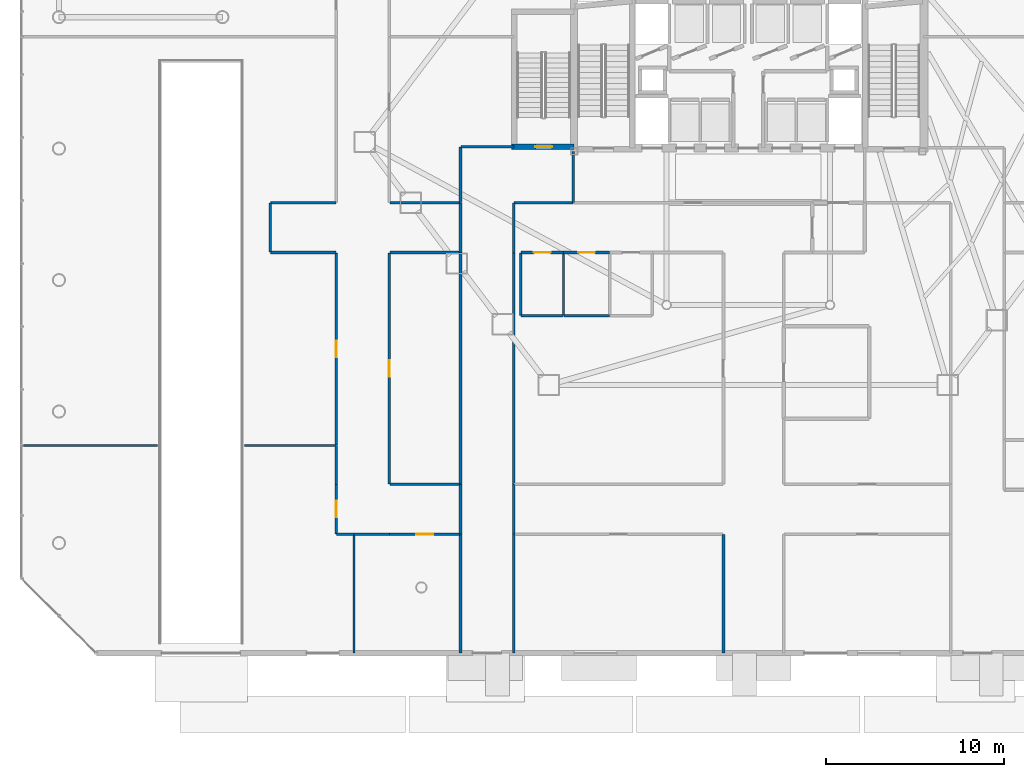
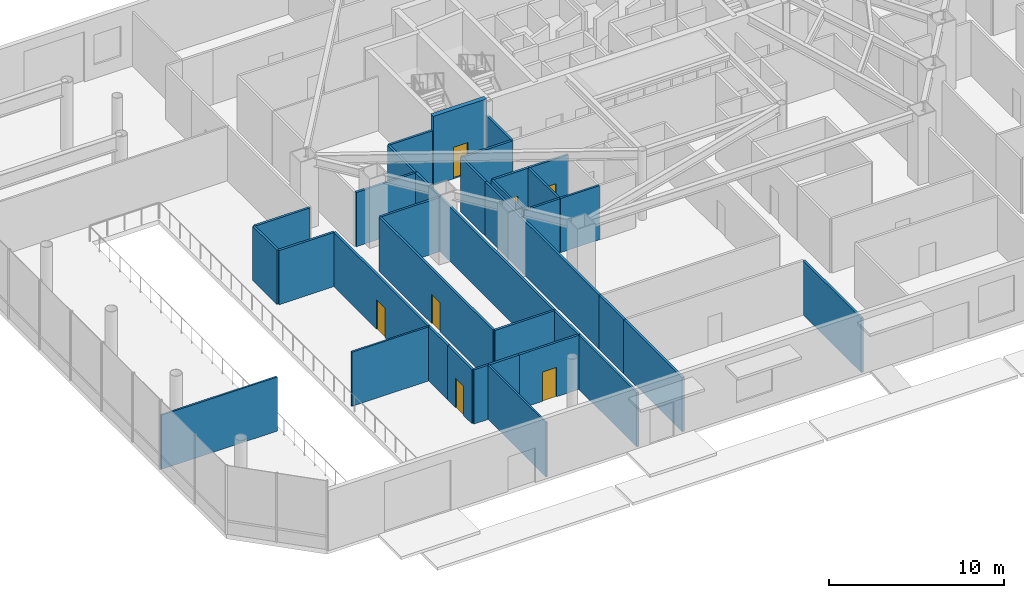
# One storey, part 22 of 31: 36 walls, 7 doors, 7 openings.
"""IFC4 building model written with IfcOpenShell, lengths in metres."""

from ifc_helpers import new_model, si_unit, direction, frame, frame_2d, origin, place, context, subcontext, project, spatial, rectangle, extrude, material, layer, layer_set, type_object, element, fill, save


model = new_model("IFC4")

# Units and contexts
model_context = context("Model", 3, precision=1e-05, world=origin(), true_north=direction((0.0, 1.0)))
body_context = subcontext(model_context, "Body", "Model", "MODEL_VIEW")
ifc_project = project(units=[si_unit("LENGTHUNIT", "METRE"), si_unit("AREAUNIT", "SQUARE_METRE"), si_unit("VOLUMEUNIT", "CUBIC_METRE"), si_unit("PLANEANGLEUNIT", "RADIAN"), si_unit("MASSUNIT", "GRAM", prefix="KILO")], contexts=[model_context])

# Site, building, storey
site_placement = place(None, origin())
site = spatial("IfcSite", under=ifc_project, at=site_placement, CompositionType="ELEMENT")
building_placement = place(site_placement, origin())
building = spatial("IfcBuilding", under=site, at=building_placement, Name="Zarrinselat Tower", CompositionType="ELEMENT")
storey_placement = place(building_placement, origin())
storey = spatial("IfcBuildingStorey", under=building, at=storey_placement, Name="L00", CompositionType="ELEMENT", Elevation=0.0)

# Walls
ifc_material_1 = material(Name="Fire-Rated Gypsum Board Partition", Category="gypsum")
ifc_layer_1 = layer(ifc_material_1, 0.14990234375)
ifc_layer_set_1 = layer_set([ifc_layer_1], Name="Fire-Rated Gypsum Board Partition")
wall_type_1 = type_object("IfcWallType", Name="WAL-PART-EI60", PredefinedType="PARTITIONING", material=ifc_layer_set_1)
wall_1_placement = place(storey_placement, frame((28.550048828125, 30.169921875, 0.0), z_axis=(0.0, 0.0, 1.0), x_axis=(0.0, 1.0, 0.0)))
element("IfcWall", 1, at=wall_1_placement, inside=storey, type_object=wall_type_1, Name="L00 Partition Wall 7", PredefinedType="PARTITIONING", context=body_context, shape_type="SweptSolid", body=[
    extrude(rectangle(XDim=2.86181640625, YDim=0.14990234375, at=frame_2d((1.430908203125, 0.0))), origin(), (0.0, 0.0, 1.0), 3.777099609375),
])
wall_2_placement = place(storey_placement, frame((22.199951171875, 11.5048828125, 0.0), z_axis=(0.0, 0.0, 1.0), x_axis=(0.0, 1.0, 0.0)))
element("IfcWall", 2, at=wall_2_placement, inside=storey, type_object=wall_type_1, Name="L00 Partition Wall 11", PredefinedType="PARTITIONING", context=body_context, shape_type="SweptSolid", body=[
    extrude(rectangle(XDim=2.7900390625, YDim=0.14990234375, at=frame_2d((1.39501953125, 0.0))), origin(), (0.0, 0.0, 1.0), 3.777099609375),
])
wall_3_placement = place(storey_placement, frame((22.199951171875, 27.35498046875, 0.0), z_axis=(0.0, 0.0, 1.0), x_axis=(0.0, 1.0, 0.0)))
element("IfcWall", 3, at=wall_3_placement, inside=storey, type_object=wall_type_1, Name="L00 Partition Wall 12", PredefinedType="PARTITIONING", context=body_context, shape_type="SweptSolid", body=[
    extrude(rectangle(XDim=2.77490234375, YDim=0.14990234375, at=frame_2d((1.387451171875, 0.0))), origin(), (0.0, 0.0, 1.0), 3.777099609375),
])
wall_4_placement = place(storey_placement, frame((25.219970703125, 30.14990234375, 0.0), z_axis=(0.0, 0.0, 1.0), x_axis=(1.0, 0.0, 0.0)))
element("IfcWall", 4, at=wall_4_placement, inside=storey, type_object=wall_type_1, Name="L00 Partition Wall 13", PredefinedType="PARTITIONING", context=body_context, shape_type="SweptSolid", body=[
    extrude(rectangle(XDim=3.31005859375, YDim=0.14990234375, at=frame_2d((1.655029296875, 0.0))), origin(), (0.0, 0.0, 1.0), 3.777099609375),
])
wall_5_placement = place(storey_placement, frame((25.199951171875, 27.3349609375, 0.0), z_axis=(0.0, 0.0, 1.0), x_axis=(0.0, 1.0, 0.0)))
element("IfcWall", 5, at=wall_5_placement, inside=storey, type_object=wall_type_1, Name="L00 Partition Wall 14", PredefinedType="PARTITIONING", context=body_context, shape_type="SweptSolid", body=[
    extrude(rectangle(XDim=2.794921875, YDim=0.14990234375, at=frame_2d((1.3974609375, 0.0))), origin(), (0.0, 0.0, 1.0), 3.777099609375),
])
wall_6_placement = place(storey_placement, frame((25.199951171875, 11.5048828125, 0.0), z_axis=(0.0, 0.0, 1.0), x_axis=(0.0, 1.0, 0.0)))
element("IfcWall", 6, at=wall_6_placement, inside=storey, type_object=wall_type_1, Name="L00 Partition Wall 15", PredefinedType="PARTITIONING", context=body_context, shape_type="SweptSolid", body=[
    extrude(rectangle(XDim=2.7900390625, YDim=0.14990234375, at=frame_2d((1.39501953125, 0.0))), origin(), (0.0, 0.0, 1.0), 3.777099609375),
])
wall_7_placement = place(storey_placement, frame((22.199951171875, 30.169921875, 0.0), z_axis=(0.0, 0.0, 1.0), x_axis=(0.0, 1.0, 0.0)))
element("IfcWall", 7, at=wall_7_placement, inside=storey, type_object=wall_type_1, Name="L00 Partition Wall 16", PredefinedType="PARTITIONING", context=body_context, shape_type="SweptSolid", body=[
    extrude(rectangle(XDim=3.110107421875, YDim=0.14990234375, at=frame_2d((1.55517578125, 0.0))), origin(), (0.0, 0.0, 1.0), 3.777099609375),
])
wall_8_placement = place(storey_placement, frame((22.219970703125, 33.300048828125, 0.0), z_axis=(0.0, 0.0, 1.0), x_axis=(1.0, 0.0, 0.0)))
element("IfcWall", 8, at=wall_8_placement, inside=storey, type_object=wall_type_1, Name="L00 Partition Wall 17", PredefinedType="PARTITIONING", context=body_context, shape_type="SweptSolid", body=[
    extrude(rectangle(XDim=2.9951171875, YDim=0.14990234375, at=frame_2d((1.49755859375, 0.0))), origin(), (0.0, 0.0, 1.0), 3.777099609375),
])
wall_9_placement = place(storey_placement, frame((22.199951171875, 14.304931640625, 0.0), z_axis=(0.0, 0.0, 1.0), x_axis=(0.0, 1.0, 0.0)))
element("IfcWall", 9, at=wall_9_placement, inside=storey, type_object=wall_type_1, Name="L00 Partition Wall 18", PredefinedType="PARTITIONING", context=body_context, shape_type="SweptSolid", body=[
    extrude(rectangle(XDim=13.0400390625, YDim=0.14990234375, at=frame_2d((6.52001953125, 0.0))), origin(), (0.0, 0.0, 1.0), 3.777099609375),
])
for number, where, z_axis, x_axis, name in (
    (10, (22.199951171875, 4.81494140625, 0.0), (0.0, 0.0, 1.0), (0.0, 1.0, 0.0), "L00 Partition Wall 19"),
    (11, (25.199951171875, 4.81494140625, 0.0), (0.0, 0.0, 1.0), (0.0, 1.0, 0.0), "L00 Partition Wall 20"),
):
    element("IfcWall", number, at=place(storey_placement, frame(where, z_axis=z_axis, x_axis=x_axis)), inside=storey, type_object=wall_type_1, Name=name, PredefinedType="PARTITIONING", context=body_context, shape_type="SweptSolid", body=[
        extrude(rectangle(XDim=6.68017578125, YDim=0.14990234375, at=frame_2d((3.340087890625, 0.0))), origin(), (0.0, 0.0, 1.0), 3.777099609375),
    ])
wall_10_placement = place(storey_placement, frame((25.199951171875, 14.304931640625, 0.0), z_axis=(0.0, 0.0, 1.0), x_axis=(0.0, 1.0, 0.0)))
element("IfcWall", 12, at=wall_10_placement, inside=storey, type_object=wall_type_1, Name="L00 Partition Wall 21", PredefinedType="PARTITIONING", context=body_context, shape_type="SweptSolid", body=[
    extrude(rectangle(XDim=13.06005859375, YDim=0.14990234375, at=frame_2d((6.530029296875, 0.0))), origin(), (0.0, 0.0, 1.0), 3.777099609375),
])
for number, where, z_axis, x_axis, name in (
    (13, (18.219970703125, 30.14990234375, 0.0), (0.0, 0.0, 1.0), (1.0, 0.0, 0.0), "L00 Partition Wall 61"),
    (14, (18.219970703125, 27.35009765625, 0.0), (0.0, 0.0, 1.0), (1.0, 0.0, 0.0), "L00 Partition Wall 64"),
):
    element("IfcWall", number, at=place(storey_placement, frame(where, z_axis=z_axis, x_axis=x_axis)), inside=storey, type_object=wall_type_1, Name=name, PredefinedType="PARTITIONING", context=body_context, shape_type="SweptSolid", body=[
        extrude(rectangle(XDim=3.9599609375, YDim=0.14990234375, at=frame_2d((1.97998046875, 0.0))), origin(), (0.0, 0.0, 1.0), 3.777099609375),
    ])

# Wall, opening, door
wall_11_placement = place(storey_placement, frame((18.199951171875, 14.320068359375, 0.0), z_axis=(0.0, 0.0, 1.0), x_axis=(0.0, 1.0, 0.0)))
wall_11 = element("IfcWall", 15, at=wall_11_placement, inside=storey, type_object=wall_type_1, Name="L00 Partition Wall 65", PredefinedType="PARTITIONING", context=body_context, shape_type="SweptSolid", body=[
    extrude(rectangle(XDim=13.010009765625, YDim=0.14990234375, at=frame_2d((6.5048828125, 0.0))), origin(), (0.0, 0.0, 1.0), 3.777099609375),
])
opening_1_placement = place(wall_11_placement, frame((6.034912109375, 0.0, 0.0)))
opening_1 = element("IfcOpeningElement", 16, at=opening_1_placement, cuts=wall_11, Name="Opening ID-04", PredefinedType="OPENING", context=body_context, shape_type="SweptSolid", body=[
    extrude(rectangle(XDim=0.93994140625, YDim=2.050048828125, at=frame_2d((0.469970703125, 1.02490234375))), frame((0.0, 0.0849609375, 0.0), z_axis=(0.0, -1.0, 0.0), x_axis=(1.0, 0.0, 0.0)), (0.0, 0.0, 1.0), 0.169921875),
])
ifc_material_2 = material(Name="Fire-Rated Gypsum Board Partition")
door_type_1 = type_object("IfcDoorType", Name="DR-INT-FD30-ENT", OperationType="NOTDEFINED", PredefinedType="DOOR", material=ifc_material_2)
door_1_placement = place(opening_1_placement, origin())
door_1 = element("IfcDoor", 17, at=door_1_placement, inside=storey, type_object=door_type_1, Name="L00 Interior Door P65", OperationType="SINGLE_SWING_LEFT", OverallHeight=2.050048828125, OverallWidth=0.93994140625, PredefinedType="DOOR", context=body_context, shape_type="SweptSolid", body=[
    extrude(rectangle(XDim=0.93994140625, YDim=2.050048828125, at=frame_2d((0.469970703125, 1.02490234375))), frame((0.0, 0.02490234375, 0.0), z_axis=(0.0, -1.0, 0.0), x_axis=(1.0, 0.0, 0.0)), (0.0, 0.0, 1.0), 0.050048828125),
])
fill(opening_1, door_1)

# Wall
wall_12_placement = place(storey_placement, frame((18.219970703125, 14.300048828125, 0.0), z_axis=(0.0, 0.0, 1.0), x_axis=(1.0, 0.0, 0.0)))
element("IfcWall", 18, at=wall_12_placement, inside=storey, type_object=wall_type_1, Name="L00 Partition Wall 66", PredefinedType="PARTITIONING", context=body_context, shape_type="SweptSolid", body=[
    extrude(rectangle(XDim=3.9599609375, YDim=0.14990234375, at=frame_2d((1.97998046875, 0.0))), origin(), (0.0, 0.0, 1.0), 3.777099609375),
])

# Wall, opening, door
wall_13_placement = place(storey_placement, frame((18.199951171875, 11.5, 0.0), z_axis=(0.0, 0.0, 1.0), x_axis=(1.0, 0.0, 0.0)))
wall_13 = element("IfcWall", 19, at=wall_13_placement, inside=storey, type_object=wall_type_1, Name="L00 Partition Wall 67", PredefinedType="PARTITIONING", context=body_context, shape_type="SweptSolid", body=[
    extrude(rectangle(XDim=3.97998046875, YDim=0.14990234375, at=frame_2d((1.989990234375, 0.0))), origin(), (0.0, 0.0, 1.0), 3.777099609375),
])
opening_2_placement = place(wall_13_placement, frame((1.52001953125, 0.0, 0.0)))
opening_2 = element("IfcOpeningElement", 20, at=opening_2_placement, cuts=wall_13, Name="Opening ID-04", PredefinedType="OPENING", context=body_context, shape_type="SweptSolid", body=[
    extrude(rectangle(XDim=0.93994140625, YDim=2.050048828125, at=frame_2d((0.469970703125, 1.02490234375))), frame((0.0, 0.0849609375, 0.0), z_axis=(0.0, -1.0, 0.0), x_axis=(1.0, 0.0, 0.0)), (0.0, 0.0, 1.0), 0.169921875),
])
door_2_placement = place(opening_2_placement, origin())
door_2 = element("IfcDoor", 21, at=door_2_placement, inside=storey, type_object=door_type_1, Name="L00 Interior Door P67", OperationType="SINGLE_SWING_RIGHT", OverallHeight=2.050048828125, OverallWidth=0.93994140625, PredefinedType="DOOR", context=body_context, shape_type="SweptSolid", body=[
    extrude(rectangle(XDim=0.93994140625, YDim=2.050048828125, at=frame_2d((0.469970703125, 1.02490234375))), frame((0.0, 0.02490234375, 0.0), z_axis=(0.0, -1.0, 0.0), x_axis=(1.0, 0.0, 0.0)), (0.0, 0.0, 1.0), 0.050048828125),
])
fill(opening_2, door_2)

# Walls
wall_14_placement = place(storey_placement, frame((16.205078125, 11.5, 0.0), z_axis=(0.0, 0.0, 1.0), x_axis=(1.0, 0.0, 0.0)))
element("IfcWall", 22, at=wall_14_placement, inside=storey, type_object=wall_type_1, Name="L00 Partition Wall 68", PredefinedType="PARTITIONING", context=body_context, shape_type="SweptSolid", body=[
    extrude(rectangle(XDim=1.994873046875, YDim=0.14990234375, at=frame_2d((0.99755859375, 0.0))), origin(), (0.0, 0.0, 1.0), 3.777099609375),
])
wall_15_placement = place(storey_placement, frame((15.219970703125, 11.5, 0.0), z_axis=(0.0, 0.0, 1.0), x_axis=(1.0, 0.0, 0.0)))
element("IfcWall", 23, at=wall_15_placement, inside=storey, type_object=wall_type_1, Name="L00 Partition Wall 69", PredefinedType="PARTITIONING", context=body_context, shape_type="SweptSolid", body=[
    extrude(rectangle(XDim=0.97509765625, YDim=0.14990234375, at=frame_2d((0.487548828125, 0.0))), origin(), (0.0, 0.0, 1.0), 3.777099609375),
])

# Wall, opening, door
wall_16_placement = place(storey_placement, frame((15.199951171875, 11.52001953125, 0.0), z_axis=(0.0, 0.0, 1.0), x_axis=(0.0, 1.0, 0.0)))
wall_16 = element("IfcWall", 24, at=wall_16_placement, inside=storey, type_object=wall_type_1, Name="L00 Partition Wall 70", PredefinedType="PARTITIONING", context=body_context, shape_type="SweptSolid", body=[
    extrude(rectangle(XDim=2.780029296875, YDim=0.14990234375, at=frame_2d((1.39013671875, 0.0))), origin(), (0.0, 0.0, 1.0), 3.777099609375),
])
opening_3_placement = place(wall_16_placement, frame((0.919921875, 0.0, 0.0)))
opening_3 = element("IfcOpeningElement", 25, at=opening_3_placement, cuts=wall_16, Name="Opening ID-04", PredefinedType="OPENING", context=body_context, shape_type="SweptSolid", body=[
    extrude(rectangle(XDim=0.93994140625, YDim=2.050048828125, at=frame_2d((0.469970703125, 1.02490234375))), frame((0.0, 0.0849609375, 0.0), z_axis=(0.0, -1.0, 0.0), x_axis=(1.0, 0.0, 0.0)), (0.0, 0.0, 1.0), 0.169921875),
])
door_3_placement = place(opening_3_placement, origin())
door_3 = element("IfcDoor", 26, at=door_3_placement, inside=storey, type_object=door_type_1, Name="L00 Interior Door P70", OperationType="SINGLE_SWING_LEFT", OverallHeight=2.050048828125, OverallWidth=0.93994140625, PredefinedType="DOOR", context=body_context, shape_type="SweptSolid", body=[
    extrude(rectangle(XDim=0.93994140625, YDim=2.050048828125, at=frame_2d((0.469970703125, 1.02490234375))), frame((0.0, 0.02490234375, 0.0), z_axis=(0.0, -1.0, 0.0), x_axis=(1.0, 0.0, 0.0)), (0.0, 0.0, 1.0), 0.050048828125),
])
fill(opening_3, door_3)

# Wall
wall_17_placement = place(storey_placement, frame((15.199951171875, 14.300048828125, 0.0), z_axis=(0.0, 0.0, 1.0), x_axis=(0.0, 1.0, 0.0)))
element("IfcWall", 27, at=wall_17_placement, inside=storey, type_object=wall_type_1, Name="L00 Partition Wall 71", PredefinedType="PARTITIONING", context=body_context, shape_type="SweptSolid", body=[
    extrude(rectangle(XDim=2.195068359375, YDim=0.14990234375, at=frame_2d((1.09765625, 0.0))), origin(), (0.0, 0.0, 1.0), 3.777099609375),
])

# Wall, opening, door
wall_18_placement = place(storey_placement, frame((15.199951171875, 16.5048828125, 0.0), z_axis=(0.0, 0.0, 1.0), x_axis=(0.0, 1.0, 0.0)))
wall_18 = element("IfcWall", 28, at=wall_18_placement, inside=storey, type_object=wall_type_1, Name="L00 Partition Wall 72", PredefinedType="PARTITIONING", context=body_context, shape_type="SweptSolid", body=[
    extrude(rectangle(XDim=10.8251953125, YDim=0.14990234375, at=frame_2d((5.41259765625, 0.0))), origin(), (0.0, 0.0, 1.0), 3.777099609375),
])
opening_4_placement = place(wall_18_placement, frame((4.9423828125, 0.0, 0.0)))
opening_4 = element("IfcOpeningElement", 29, at=opening_4_placement, cuts=wall_18, Name="Opening ID-04", PredefinedType="OPENING", context=body_context, shape_type="SweptSolid", body=[
    extrude(rectangle(XDim=0.93994140625, YDim=2.050048828125, at=frame_2d((0.469970703125, 1.02490234375))), frame((0.0, 0.0849609375, 0.0), z_axis=(0.0, -1.0, 0.0), x_axis=(1.0, 0.0, 0.0)), (0.0, 0.0, 1.0), 0.169921875),
])
door_4_placement = place(opening_4_placement, origin())
door_4 = element("IfcDoor", 30, at=door_4_placement, inside=storey, type_object=door_type_1, Name="L00 Interior Door P72", OperationType="SINGLE_SWING_RIGHT", OverallHeight=2.050048828125, OverallWidth=0.93994140625, PredefinedType="DOOR", context=body_context, shape_type="SweptSolid", body=[
    extrude(rectangle(XDim=0.93994140625, YDim=2.050048828125, at=frame_2d((0.469970703125, 1.02490234375))), frame((0.0, 0.02490234375, 0.0), z_axis=(0.0, -1.0, 0.0), x_axis=(1.0, 0.0, 0.0)), (0.0, 0.0, 1.0), 0.050048828125),
])
fill(opening_4, door_4)

# Walls
wall_19_placement = place(storey_placement, frame((11.52001953125, 27.35009765625, 0.0), z_axis=(0.0, 0.0, 1.0), x_axis=(1.0, 0.0, 0.0)))
element("IfcWall", 31, at=wall_19_placement, inside=storey, type_object=wall_type_1, Name="L00 Partition Wall 73", PredefinedType="PARTITIONING", context=body_context, shape_type="SweptSolid", body=[
    extrude(rectangle(XDim=3.659912109375, YDim=0.14990234375, at=frame_2d((1.830078125, 0.0))), origin(), (0.0, 0.0, 1.0), 3.777099609375),
])
wall_20_placement = place(storey_placement, frame((11.5, 27.3701171875, 0.0), z_axis=(0.0, 0.0, 1.0), x_axis=(0.0, 1.0, 0.0)))
element("IfcWall", 32, at=wall_20_placement, inside=storey, type_object=wall_type_1, Name="L00 Partition Wall 74", PredefinedType="PARTITIONING", context=body_context, shape_type="SweptSolid", body=[
    extrude(rectangle(XDim=2.759765625, YDim=0.14990234375, at=frame_2d((1.3798828125, 0.0))), origin(), (0.0, 0.0, 1.0), 3.777099609375),
])
wall_21_placement = place(storey_placement, frame((11.52001953125, 30.14990234375, 0.0), z_axis=(0.0, 0.0, 1.0), x_axis=(1.0, 0.0, 0.0)))
element("IfcWall", 33, at=wall_21_placement, inside=storey, type_object=wall_type_1, Name="L00 Partition Wall 75", PredefinedType="PARTITIONING", context=body_context, shape_type="SweptSolid", body=[
    extrude(rectangle(XDim=3.659912109375, YDim=0.14990234375, at=frame_2d((1.830078125, 0.0))), origin(), (0.0, 0.0, 1.0), 3.777099609375),
])

# Wall, opening, door
wall_22_placement = place(storey_placement, frame((25.60498046875, 27.35009765625, 0.0), z_axis=(0.0, 0.0, 1.0), x_axis=(1.0, 0.0, 0.0)))
wall_22 = element("IfcWall", 34, at=wall_22_placement, inside=storey, type_object=wall_type_1, Name="L00 Partition Wall 84", PredefinedType="PARTITIONING", context=body_context, shape_type="SweptSolid", body=[
    extrude(rectangle(XDim=2.39013671875, YDim=0.14990234375, at=frame_2d((1.195068359375, 0.0))), origin(), (0.0, 0.0, 1.0), 3.777099609375),
])
opening_5_placement = place(wall_22_placement, frame((0.72509765625, 0.0, 0.0)))
opening_5 = element("IfcOpeningElement", 35, at=opening_5_placement, cuts=wall_22, Name="Opening ID-04", PredefinedType="OPENING", context=body_context, shape_type="SweptSolid", body=[
    extrude(rectangle(XDim=0.93994140625, YDim=2.050048828125, at=frame_2d((0.469970703125, 1.02490234375))), frame((0.0, 0.0849609375, 0.0), z_axis=(0.0, -1.0, 0.0), x_axis=(1.0, 0.0, 0.0)), (0.0, 0.0, 1.0), 0.169921875),
])
door_5_placement = place(opening_5_placement, origin())
door_5 = element("IfcDoor", 36, at=door_5_placement, inside=storey, type_object=door_type_1, Name="L00 Interior Door P84", OperationType="SINGLE_SWING_RIGHT", OverallHeight=2.050048828125, OverallWidth=0.93994140625, PredefinedType="DOOR", context=body_context, shape_type="SweptSolid", body=[
    extrude(rectangle(XDim=0.93994140625, YDim=2.050048828125, at=frame_2d((0.469970703125, 1.02490234375))), frame((0.0, 0.02490234375, 0.0), z_axis=(0.0, -1.0, 0.0), x_axis=(1.0, 0.0, 0.0)), (0.0, 0.0, 1.0), 0.050048828125),
])
fill(opening_5, door_5)

wall_23_placement = place(storey_placement, frame((28.0048828125, 27.35009765625, 0.0), z_axis=(0.0, 0.0, 1.0), x_axis=(1.0, 0.0, 0.0)))
wall_23 = element("IfcWall", 37, at=wall_23_placement, inside=storey, type_object=wall_type_1, Name="L00 Partition Wall 85", PredefinedType="PARTITIONING", context=body_context, shape_type="SweptSolid", body=[
    extrude(rectangle(XDim=2.590087890625, YDim=0.14990234375, at=frame_2d((1.294921875, 0.0))), origin(), (0.0, 0.0, 1.0), 3.777099609375),
])
opening_6_placement = place(wall_23_placement, frame((0.824951171875, 0.0, 0.0)))
opening_6 = element("IfcOpeningElement", 38, at=opening_6_placement, cuts=wall_23, Name="Opening ID-04", PredefinedType="OPENING", context=body_context, shape_type="SweptSolid", body=[
    extrude(rectangle(XDim=0.93994140625, YDim=2.050048828125, at=frame_2d((0.469970703125, 1.02490234375))), frame((0.0, 0.0849609375, 0.0), z_axis=(0.0, -1.0, 0.0), x_axis=(1.0, 0.0, 0.0)), (0.0, 0.0, 1.0), 0.169921875),
])
door_6_placement = place(opening_6_placement, origin())
door_6 = element("IfcDoor", 39, at=door_6_placement, inside=storey, type_object=door_type_1, Name="L00 Interior Door P85", OperationType="SINGLE_SWING_LEFT", OverallHeight=2.050048828125, OverallWidth=0.93994140625, PredefinedType="DOOR", context=body_context, shape_type="SweptSolid", body=[
    extrude(rectangle(XDim=0.93994140625, YDim=2.050048828125, at=frame_2d((0.469970703125, 1.02490234375))), frame((0.0, 0.02490234375, 0.0), z_axis=(0.0, -1.0, 0.0), x_axis=(1.0, 0.0, 0.0)), (0.0, 0.0, 1.0), 0.050048828125),
])
fill(opening_6, door_6)

# Walls
wall_24_placement = place(storey_placement, frame((37.0, 4.81494140625, 0.0), z_axis=(0.0, 0.0, 1.0), x_axis=(0.0, 1.0, 0.0)))
element("IfcWall", 40, at=wall_24_placement, inside=storey, type_object=wall_type_1, Name="L00 Partition Wall 94", PredefinedType="PARTITIONING", context=body_context, shape_type="SweptSolid", body=[
    extrude(rectangle(XDim=6.6650390625, YDim=0.14990234375, at=frame_2d((3.33251953125, 0.0))), origin(), (0.0, 0.0, 1.0), 3.777099609375),
])
ifc_material_3 = material(Name="Fire-Rated Gypsum Board Partition", Category="gypsum")
ifc_layer_2 = layer(ifc_material_3, 0.1201171875)
ifc_layer_set_2 = layer_set([ifc_layer_2], Name="Fire-Rated Gypsum Board Partition")
wall_type_2 = type_object("IfcWallType", Name="WAL-PART-STD", PredefinedType="PARTITIONING", material=ifc_layer_set_2)
wall_25_placement = place(storey_placement, frame((16.199951171875, 4.81494140625, 0.0), z_axis=(0.0, 0.0, 1.0), x_axis=(0.0, 1.0, 0.0)))
element("IfcWall", 41, at=wall_25_placement, inside=storey, type_object=wall_type_2, Name="L00 Partition Wall 117", PredefinedType="PARTITIONING", context=body_context, shape_type="SweptSolid", body=[
    extrude(rectangle(XDim=6.6650390625, YDim=0.1201171875, at=frame_2d((3.33251953125, 0.0))), origin(), (0.0, 0.0, 1.0), 3.777099609375),
])
wall_26_placement = place(storey_placement, frame((-2.485107421875, 16.5, 0.0), z_axis=(0.0, 0.0, 1.0), x_axis=(1.0, 0.0, 0.0)))
element("IfcWall", 42, at=wall_26_placement, inside=storey, type_object=wall_type_2, Name="L00 Partition Wall 118", PredefinedType="PARTITIONING", context=body_context, shape_type="SweptSolid", body=[
    extrude(rectangle(XDim=7.629150390625, YDim=0.1201171875, at=frame_2d((3.814453125, 0.0))), origin(), (0.0, 0.0, 1.0), 3.777099609375),
])
wall_27_placement = place(storey_placement, frame((10.055908203125, 16.5, 0.0), z_axis=(0.0, 0.0, 1.0), x_axis=(1.0, 0.0, 0.0)))
element("IfcWall", 43, at=wall_27_placement, inside=storey, type_object=wall_type_2, Name="L00 Partition Wall 119", PredefinedType="PARTITIONING", context=body_context, shape_type="SweptSolid", body=[
    extrude(rectangle(XDim=5.1240234375, YDim=0.1201171875, at=frame_2d((2.56201171875, 0.0))), origin(), (0.0, 0.0, 1.0), 3.777099609375),
])
ifc_material_4 = material(Name="Fire-Rated Gypsum Board Partition", Category="gypsum")
ifc_layer_3 = layer(ifc_material_4, 0.135009765625)
ifc_layer_set_3 = layer_set([ifc_layer_3], Name="Fire-Rated Gypsum Board Partition")
wall_type_3 = type_object("IfcWallType", Name="WAL-PART-WET", PredefinedType="PARTITIONING", material=ifc_layer_set_3)
wall_28_placement = place(storey_placement, frame((28.0, 23.820068359375, 0.0), z_axis=(0.0, 0.0, 1.0), x_axis=(0.0, 1.0, 0.0)))
element("IfcWall", 44, at=wall_28_placement, inside=storey, type_object=wall_type_3, Name="L00 Partition Wall 99", PredefinedType="PARTITIONING", context=body_context, shape_type="SweptSolid", body=[
    extrude(rectangle(XDim=3.510009765625, YDim=0.135009765625, at=frame_2d((1.7548828125, 0.0))), origin(), (0.0, 0.0, 1.0), 3.777099609375),
])
wall_29_placement = place(storey_placement, frame((25.6201171875, 23.800048828125, 0.0), z_axis=(0.0, 0.0, 1.0), x_axis=(1.0, 0.0, 0.0)))
element("IfcWall", 45, at=wall_29_placement, inside=storey, type_object=wall_type_3, Name="L00 Partition Wall 100", PredefinedType="PARTITIONING", context=body_context, shape_type="SweptSolid", body=[
    extrude(rectangle(XDim=2.35986328125, YDim=0.135009765625, at=frame_2d((1.179931640625, 0.0))), origin(), (0.0, 0.0, 1.0), 3.777099609375),
])
wall_30_placement = place(storey_placement, frame((25.60009765625, 23.820068359375, 0.0), z_axis=(0.0, 0.0, 1.0), x_axis=(0.0, 1.0, 0.0)))
element("IfcWall", 46, at=wall_30_placement, inside=storey, type_object=wall_type_3, Name="L00 Partition Wall 101", PredefinedType="PARTITIONING", context=body_context, shape_type="SweptSolid", body=[
    extrude(rectangle(XDim=3.510009765625, YDim=0.135009765625, at=frame_2d((1.7548828125, 0.0))), origin(), (0.0, 0.0, 1.0), 3.777099609375),
])
wall_31_placement = place(storey_placement, frame((28.02001953125, 23.800048828125, 0.0), z_axis=(0.0, 0.0, 1.0), x_axis=(1.0, 0.0, 0.0)))
element("IfcWall", 47, at=wall_31_placement, inside=storey, type_object=wall_type_3, Name="L00 Partition Wall 103", PredefinedType="PARTITIONING", context=body_context, shape_type="SweptSolid", body=[
    extrude(rectangle(XDim=2.56005859375, YDim=0.135009765625, at=frame_2d((1.280029296875, 0.0))), origin(), (0.0, 0.0, 1.0), 3.777099609375),
])

# Wall, opening, door
ifc_material_5 = material(Name="Concrete C40/50", Category="concrete")
ifc_layer_4 = layer(ifc_material_5, 0.300048828125)
ifc_layer_set_4 = layer_set([ifc_layer_4], Name="Concrete C40/50")
wall_type_4 = type_object("IfcWallType", Name="WAL-SHEAR-300", PredefinedType="SHEAR", material=ifc_layer_set_4)
wall_32_placement = place(storey_placement, frame((25.080078125, 33.300048828125, 0.0), z_axis=(0.0, 0.0, 1.0), x_axis=(1.0, 0.0, 0.0)))
wall_32 = element("IfcWall", 48, at=wall_32_placement, inside=storey, type_object=wall_type_4, Name="L00 Stair 3 South Shear Wall", PredefinedType="SHEAR", context=body_context, shape_type="SweptSolid", body=[
    extrude(rectangle(XDim=3.52001953125, YDim=0.300048828125, at=frame_2d((1.760009765625, 0.0))), origin(), (0.0, 0.0, 1.0), 4.820068359375),
])
opening_7_placement = place(wall_32_placement, frame((1.3349609375, 0.0, 0.0)))
opening_7 = element("IfcOpeningElement", 49, at=opening_7_placement, cuts=wall_32, Name="Opening SD-02", PredefinedType="OPENING", context=body_context, shape_type="SweptSolid", body=[
    extrude(rectangle(XDim=0.949951171875, YDim=2.199951171875, at=frame_2d((0.47509765625, 1.10009765625))), frame((0.0, 0.159912109375, 0.0), z_axis=(0.0, -1.0, 0.0), x_axis=(1.0, 0.0, 0.0)), (0.0, 0.0, 1.0), 0.320068359375),
])
ifc_material_6 = material(Name="Steel S355J2", Category="steel")
door_type_2 = type_object("IfcDoorType", Name="DR-STAIR-1050", OperationType="NOTDEFINED", PredefinedType="DOOR", material=ifc_material_6)
door_7_placement = place(opening_7_placement, origin())
door_7 = element("IfcDoor", 50, at=door_7_placement, inside=storey, type_object=door_type_2, Name="L00 Exit Stair 3 Fire Door", OperationType="SINGLE_SWING_LEFT", OverallHeight=2.199951171875, OverallWidth=0.949951171875, PredefinedType="DOOR", context=body_context, shape_type="SweptSolid", body=[
    extrude(rectangle(XDim=0.949951171875, YDim=2.199951171875, at=frame_2d((0.47509765625, 1.10009765625))), frame((0.0, 0.02490234375, 0.0), z_axis=(0.0, -1.0, 0.0), x_axis=(1.0, 0.0, 0.0)), (0.0, 0.0, 1.0), 0.050048828125),
])
fill(opening_7, door_7)

save(model, "model.ifc")
